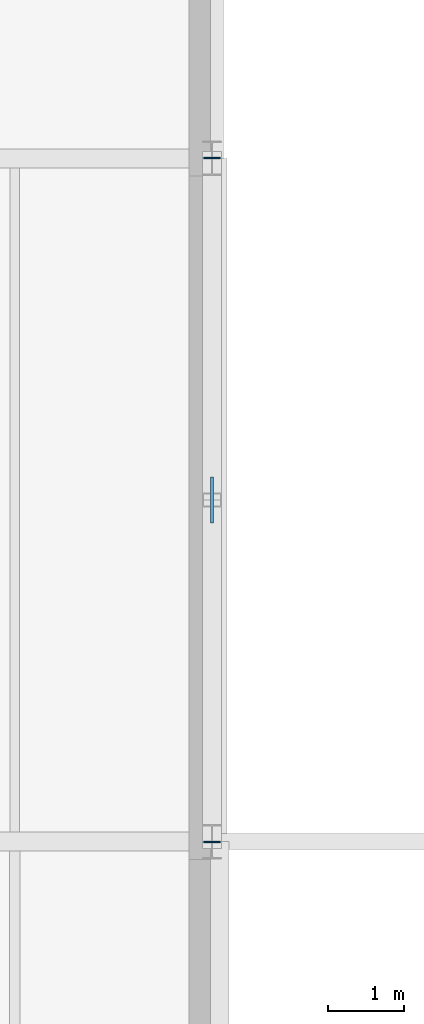
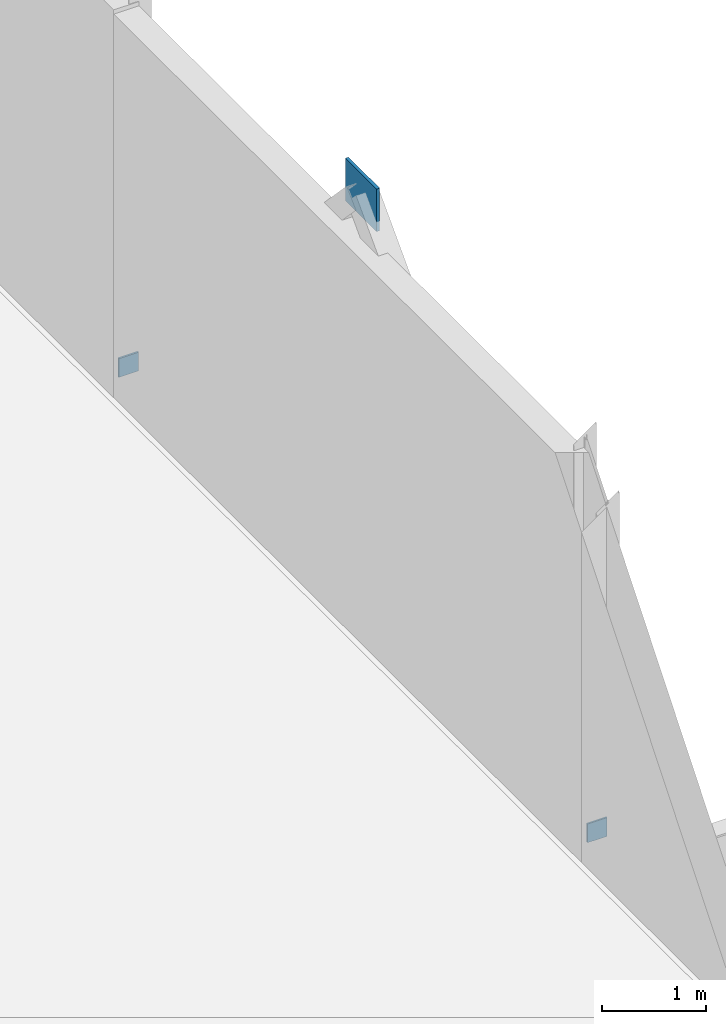
# One storey, part 34 of 57: 3 plates.
"""IFC4 building model written with IfcOpenShell, lengths in metres."""

import ifcopenshell
import ifcopenshell.guid

model = None  # the IFC model being written
_history = None  # IfcOwnerHistory: only IFC2X3 demands one
_inside = {}  # id of a spatial element -> (the spatial element, [elements in it])
_under = {}  # id of a project, library or spatial element -> (it, [spatial elements below it])
_declared = {}  # id of a project -> (the project, [libraries it declares])
_typed = {}  # id of a type object -> (the type object, [elements of that type])
_made_of = {}  # id of a material, layer set ... -> (it, [elements and type objects made of it])


def new_model(schema):
    """Start an empty IFC model of exactly this schema.

    Asked for "IFC4X3", IfcOpenShell would pick the latest addendum, in which some entities
    have other attributes; the version numbers below select the first issue.
    IFC2X3 requires an IfcOwnerHistory on every rooted entity: one is made here for all.
    """
    global model, _history
    if schema == "IFC4X3":
        model = ifcopenshell.file(schema_version=(4, 3, 0, 0))
    else:
        model = ifcopenshell.file(schema=schema)
    _inside.clear()
    _under.clear()
    _declared.clear()
    _typed.clear()
    _made_of.clear()
    _history = None
    if model.schema == "IFC2X3":
        org = make("IfcOrganization", Name="unknown")
        user = make(
            "IfcPersonAndOrganization",
            ThePerson=make("IfcPerson", FamilyName="unknown"),
            TheOrganization=org,
        )
        app = make(
            "IfcApplication",
            ApplicationDeveloper=org,
            Version="unknown",
            ApplicationFullName="unknown",
            ApplicationIdentifier="unknown",
        )
        _history = make(
            "IfcOwnerHistory",
            OwningUser=user,
            OwningApplication=app,
            ChangeAction="ADDED",
            CreationDate=0,
        )
    return model


def make(cls, **values):
    """One entity of the class cls with the attributes given. An attribute that is None is left unset."""
    return model.create_entity(
        cls, **{name: value for name, value in values.items() if value is not None}
    )


def rooted(cls, **values):
    """An entity with a GlobalId (a new one), such as an element, a storey or a relation."""
    return make(cls, GlobalId=ifcopenshell.guid.new(), OwnerHistory=_history, **values)


def si_unit(unit_type, name, prefix=None):
    """IfcSIUnit, for example si_unit("LENGTHUNIT", "METRE", prefix="MILLI")."""
    return make("IfcSIUnit", UnitType=unit_type, Prefix=prefix, Name=name)


def derived_unit(unit_type, elements):
    """IfcDerivedUnit: a product of units, each with its exponent."""
    return make(
        "IfcDerivedUnit",
        Elements=[
            make("IfcDerivedUnitElement", Unit=unit, Exponent=power)
            for unit, power in elements
        ],
        UnitType=unit_type,
    )


def assignment(units):
    """IfcUnitAssignment: the units of a project."""
    return None if units is None else make("IfcUnitAssignment", Units=units)


def point(xyz):
    """IfcCartesianPoint."""
    return None if xyz is None else make("IfcCartesianPoint", Coordinates=xyz)


def direction(xyz):
    """IfcDirection."""
    return None if xyz is None else make("IfcDirection", DirectionRatios=xyz)


def frame(location, z_axis=None, x_axis=None):
    """IfcAxis2Placement3D, a coordinate frame: its origin and axes. An axis left out is left unset."""
    return make(
        "IfcAxis2Placement3D",
        Location=point(location),
        Axis=direction(z_axis),
        RefDirection=direction(x_axis),
    )


def frame_2d(location, x_axis=None):
    """IfcAxis2Placement2D, a coordinate frame in the plane: its origin and x axis."""
    return make(
        "IfcAxis2Placement2D", Location=point(location), RefDirection=direction(x_axis)
    )


def origin():
    """The frame at (0, 0, 0) with its axes left unset."""
    return frame((0.0, 0.0, 0.0))


def origin_2d():
    """The frame at (0, 0) in the plane with its x axis left unset."""
    return frame_2d((0.0, 0.0))


def place(relative_to, where):
    """IfcLocalPlacement: puts the frame where relative to a parent placement (None: the world)."""
    return make(
        "IfcLocalPlacement", PlacementRelTo=relative_to, RelativePlacement=where
    )


def context(
    kind, dimensions, precision=None, world=None, true_north=None, identifier=None
):
    """IfcGeometricRepresentationContext, for example the 3D "Model" context."""
    return make(
        "IfcGeometricRepresentationContext",
        ContextIdentifier=identifier,
        ContextType=kind,
        CoordinateSpaceDimension=dimensions,
        Precision=precision,
        WorldCoordinateSystem=world,
        TrueNorth=true_north,
    )


def subcontext(parent, identifier, kind, view, scale=None):
    """IfcGeometricRepresentationSubContext, for example "Body" below "Model"."""
    return make(
        "IfcGeometricRepresentationSubContext",
        ContextIdentifier=identifier,
        ContextType=kind,
        ParentContext=parent,
        TargetScale=scale,
        TargetView=view,
    )


def project(units=None, contexts=None):
    """IfcProject with its units and contexts."""
    return rooted(
        "IfcProject",
        Name="project",
        RepresentationContexts=contexts,
        UnitsInContext=assignment(units),
    )


def spatial(cls, under=None, at=None, **own):
    """A site, building, storey or space (cls), placed at a placement, below another one or the project."""
    s = rooted(cls, ObjectPlacement=at, **own)
    if under is not None:
        _under.setdefault(under.id(), (under, []))[1].append(s)
    return s


def profile(cls, at=None, kind="AREA", **sizes):
    """A parametric profile (cls). Its sizes go by their IFC names, for example OverallWidth=200.0."""
    return make(cls, ProfileType=kind, Position=at, **sizes)


def rectangle(**sizes):
    """IfcRectangleProfileDef."""
    return profile("IfcRectangleProfileDef", **sizes)


def extrude(swept, where, along, depth):
    """IfcExtrudedAreaSolid: the profile swept, set in the frame where, extruded along a direction by depth."""
    return make(
        "IfcExtrudedAreaSolid",
        SweptArea=swept,
        Position=where,
        ExtrudedDirection=direction(along),
        Depth=depth,
    )


def shape(context_of_items, identifier, shape_type, items):
    """IfcShapeRepresentation: the items that make up one representation, for example the "Body"."""
    return make(
        "IfcShapeRepresentation",
        ContextOfItems=context_of_items,
        RepresentationIdentifier=identifier,
        RepresentationType=shape_type,
        Items=items,
    )


def material(Name=None, Category=None):
    """IfcMaterial."""
    return make("IfcMaterial", Name=Name, Category=Category)


def layer(
    of_material, thickness, ventilated=None, Name=None, Category=None, Priority=None
):
    """IfcMaterialLayer: one layer of a wall or slab, of a material (None: an air gap)."""
    return make(
        "IfcMaterialLayer",
        Material=of_material,
        LayerThickness=thickness,
        IsVentilated=ventilated,
        Name=Name,
        Category=Category,
        Priority=Priority,
    )


def layer_set(layers, Name=None):
    """IfcMaterialLayerSet."""
    return make("IfcMaterialLayerSet", MaterialLayers=layers, LayerSetName=Name)


def made_of(thing, what):
    """Note that an element or type object is made of a material, layer set ...; save() writes the relation."""
    if what is not None:
        _made_of.setdefault(what.id(), (what, []))[1].append(thing)
    return thing


def type_object(cls, material=None, **own):
    """A type object (cls), such as IfcWallType, which elements share."""
    return made_of(rooted(cls, **own), material)


def element(
    cls,
    number,
    at=None,
    inside=None,
    cuts=None,
    type_object=None,
    material=None,
    context=None,
    identifier="Body",
    shape_type=None,
    held_by="IfcProductDefinitionShape",
    body=None,
    shapes=None,
    **own,
):
    """One element of the class cls, such as IfcWall. Its Tag is "e" and its number.

    at: its placement. inside: the storey or other place that contains it. cuts: it is an
    opening in that element (IfcRelVoidsElement). A single representation is given by context,
    identifier, shape_type and body (its items); several are given by shapes. held_by: the class
    of the entity that holds the representations. save() writes the other relations.
    """
    e = rooted(cls, Tag="e%d" % number, ObjectPlacement=at, **own)
    if body is not None:
        shapes = [shape(context, identifier, shape_type, body)]
    if shapes is not None:
        e.Representation = make(held_by, Representations=shapes)
    if inside is not None:
        _inside.setdefault(inside.id(), (inside, []))[1].append(e)
    if cuts is not None:
        rooted(
            "IfcRelVoidsElement", RelatingBuildingElement=cuts, RelatedOpeningElement=e
        )
    if type_object is not None:
        _typed.setdefault(type_object.id(), (type_object, []))[1].append(e)
    return made_of(e, material)


def aggregate(whole, parts):
    """IfcRelAggregates: a whole, such as a stair, and the parts it consists of."""
    return rooted("IfcRelAggregates", RelatingObject=whole, RelatedObjects=parts)


def save(model, path):
    """Write the relations noted so far, then the file.

    IfcRelAggregates (storeys below a building ...), IfcRelContainedInSpatialStructure (elements
    in a storey), IfcRelDefinesByType, IfcRelAssociatesMaterial and IfcRelDeclares: one each for
    every whole, place, type object, material and project.
    """
    for whole, parts in _under.values():
        aggregate(whole, parts)
    for where, things in _inside.values():
        rooted(
            "IfcRelContainedInSpatialStructure",
            RelatedElements=things,
            RelatingStructure=where,
        )
    for kind, things in _typed.values():
        rooted("IfcRelDefinesByType", RelatedObjects=things, RelatingType=kind)
    for what, things in _made_of.values():
        rooted("IfcRelAssociatesMaterial", RelatedObjects=things, RelatingMaterial=what)
    for by, libraries in _declared.values():
        rooted("IfcRelDeclares", RelatingContext=by, RelatedDefinitions=libraries)
    model.write(path)


model = new_model("IFC4")

# Units and contexts
model_context = context("Model", 3, precision=1e-05, world=origin(), true_north=direction((0.0, 1.0)))
body_context = subcontext(model_context, "Body", "Model", "MODEL_VIEW")
ifc_project = project(units=[si_unit("LENGTHUNIT", "METRE"), si_unit("AREAUNIT", "SQUARE_METRE"), si_unit("VOLUMEUNIT", "CUBIC_METRE"), si_unit("PLANEANGLEUNIT", "RADIAN"), si_unit("MASSUNIT", "GRAM", prefix="KILO"), derived_unit("THERMALTRANSMITTANCEUNIT", [(si_unit("POWERUNIT", "WATT"), 1), (si_unit("LENGTHUNIT", "METRE"), -2), (si_unit("THERMODYNAMICTEMPERATUREUNIT", "KELVIN"), -1)])], contexts=[model_context])

# Site, building, storey
site_placement = place(None, origin())
site = spatial("IfcSite", under=ifc_project, at=site_placement, CompositionType="ELEMENT")
building_placement = place(site_placement, origin())
building = spatial("IfcBuilding", under=site, at=building_placement, Name="Nallur Shell Playhouse", CompositionType="ELEMENT")
storey_placement = place(building_placement, origin())
storey = spatial("IfcBuildingStorey", under=building, at=storey_placement, Name="L01", CompositionType="ELEMENT", Elevation=0.0)

# Plates
ifc_material = material(Name="Steel E350", Category="steel")
ifc_layer_1 = layer(ifc_material, 0.02001953125)
ifc_layer_set_1 = layer_set([ifc_layer_1], Name="Steel E350")
plate_type_1 = type_object("IfcPlateType", Name="PT-ENDCAP-20", PredefinedType="SHEET", material=ifc_layer_set_1)
for number, where, z_axis, x_axis, name in (
    (1, (103.0, 55.9931640625, 0.03271484375), (0.0, 0.0, 1.0), (1.0, 0.0, 0.0), "Hollow end cap EC-BR-FT-L01-003-0"),
    (2, (103.0, 65.0068359375, 0.03271484375), (0.0, 0.0, 1.0), (1.0, 0.0, 0.0), "Hollow end cap EC-BR-FT-L01-004-0"),
):
    element("IfcPlate", number, at=place(storey_placement, frame(where, z_axis=z_axis, x_axis=x_axis)), inside=storey, type_object=plate_type_1, Name=name, PredefinedType="SHEET", context=body_context, shape_type="SweptSolid", body=[
        extrude(rectangle(XDim=0.219970703125, YDim=0.02001953125, at=origin_2d()), origin(), (0.0, 0.0, 1.0), 0.219970703125),
    ])
ifc_layer_2 = layer(ifc_material, 0.034912109375)
ifc_layer_set_2 = layer_set([ifc_layer_2], Name="Steel E350")
plate_type_2 = type_object("IfcPlateType", Name="PT-GUSSET-35", PredefinedType="USERDEFINED", material=ifc_layer_set_2)
plate_placement = place(storey_placement, frame((103.0, 60.5, 4.6201171875), z_axis=(0.0, 0.0, 1.0), x_axis=(1.0, 0.0, 0.0)))
element("IfcPlate", 3, at=plate_placement, inside=storey, type_object=plate_type_2, Name="Fly tower chevron node gusset plate TN-02 (L01)", ObjectType="GUSSET PLATE", PredefinedType="USERDEFINED", context=body_context, shape_type="SweptSolid", body=[
    extrude(rectangle(XDim=0.034912109375, YDim=0.60009765625, at=origin_2d()), origin(), (0.0, 0.0, 1.0), 0.5),
])

save(model, "model.ifc")
